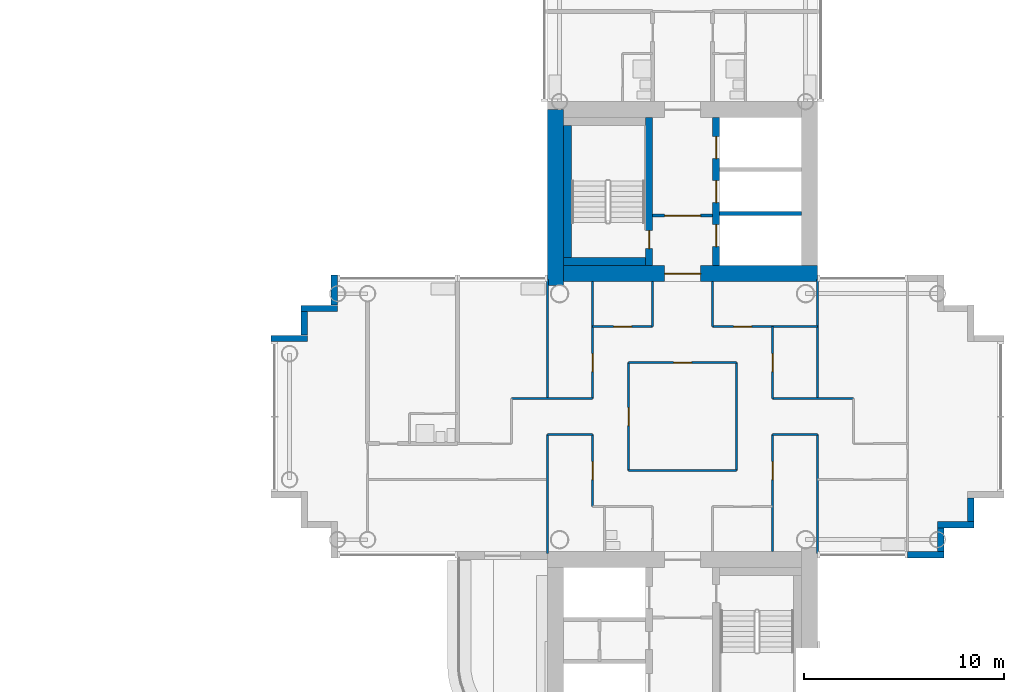
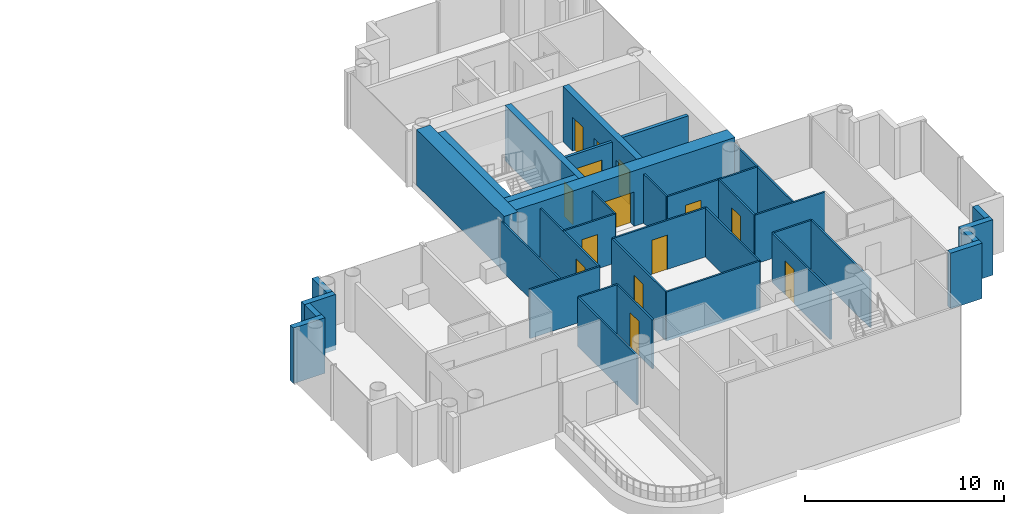
# One storey, part 11 of 19: 36 walls, 14 doors, 14 openings.
"""IFC4 building model written with IfcOpenShell, lengths in metres."""

from ifc_helpers import new_model, si_unit, direction, frame, frame_2d, origin, place, context, subcontext, project, spatial, rectangle, extrude, material, layer, layer_set, type_object, element, fill, save


model = new_model("IFC4")

# Units and contexts
model_context = context("Model", 3, precision=1e-05, world=origin(), true_north=direction((0.0, 1.0)))
body_context = subcontext(model_context, "Body", "Model", "MODEL_VIEW")
ifc_project = project(units=[si_unit("LENGTHUNIT", "METRE"), si_unit("AREAUNIT", "SQUARE_METRE"), si_unit("VOLUMEUNIT", "CUBIC_METRE"), si_unit("PLANEANGLEUNIT", "RADIAN"), si_unit("MASSUNIT", "GRAM", prefix="KILO")], contexts=[model_context])

# Site, building, storey
site_placement = place(None, origin())
site = spatial("IfcSite", under=ifc_project, at=site_placement, CompositionType="ELEMENT")
building_placement = place(site_placement, origin())
building = spatial("IfcBuilding", under=site, at=building_placement, Name="Ipe Terrace Towers", CompositionType="ELEMENT")
storey_placement = place(building_placement, frame((0.0, 0.0, 174.5)))
storey = spatial("IfcBuildingStorey", under=building, at=storey_placement, Name="L48", CompositionType="ELEMENT", Elevation=174.5)

# Walls
ifc_material_1 = material(Name="Concrete C40/50 with buff precast cladding", Category="concrete")
ifc_layer_1 = layer(ifc_material_1, 0.320068359375)
ifc_layer_set_1 = layer_set([ifc_layer_1], Name="BUFF CLADDING WALL 320")
wall_type_1 = type_object("IfcWallType", Name="BUFF CLADDING WALL 320", PredefinedType="STANDARD", material=ifc_layer_set_1)
wall_1_placement = place(storey_placement, frame((47.25, -6.909912109375, -0.300048828125), z_axis=(0.0, 0.0, 1.0), x_axis=(1.0, 0.0, 0.0)))
element("IfcWall", 1, at=wall_1_placement, inside=storey, type_object=wall_type_1, Name="T2-W-L48-03a wall", PredefinedType="STANDARD", context=body_context, shape_type="SweptSolid", body=[
    extrude(rectangle(XDim=1.820068359375, YDim=0.320068359375, at=frame_2d((0.91015625, 0.0))), origin(), (0.0, 0.0, 1.0), 3.400146484375),
])
wall_2_placement = place(storey_placement, frame((48.909912109375, -6.75, -0.300048828125), z_axis=(0.0, 0.0, 1.0), x_axis=(0.0, 1.0, 0.0)))
element("IfcWall", 2, at=wall_2_placement, inside=storey, type_object=wall_type_1, Name="T2-W-L48-04a wall", PredefinedType="STANDARD", context=body_context, shape_type="SweptSolid", body=[
    extrude(rectangle(XDim=1.179931640625, YDim=0.320068359375, at=frame_2d((0.58984375, 0.0))), origin(), (0.0, 0.0, 1.0), 3.400146484375),
])
wall_3_placement = place(storey_placement, frame((48.75, -5.409912109375, -0.300048828125), z_axis=(0.0, 0.0, 1.0), x_axis=(1.0, 0.0, 0.0)))
element("IfcWall", 3, at=wall_3_placement, inside=storey, type_object=wall_type_1, Name="T2-W-L48-05a wall", PredefinedType="STANDARD", context=body_context, shape_type="SweptSolid", body=[
    extrude(rectangle(XDim=1.820068359375, YDim=0.320068359375, at=frame_2d((0.91015625, 0.0))), origin(), (0.0, 0.0, 1.0), 3.400146484375),
])
wall_4_placement = place(storey_placement, frame((50.409912109375, -5.25, -0.300048828125), z_axis=(0.0, 0.0, 1.0), x_axis=(0.0, 1.0, 0.0)))
element("IfcWall", 4, at=wall_4_placement, inside=storey, type_object=wall_type_1, Name="T2-W-L48-06a wall", PredefinedType="STANDARD", context=body_context, shape_type="SweptSolid", body=[
    extrude(rectangle(XDim=1.179931640625, YDim=0.320068359375, at=frame_2d((0.58984375, 0.0))), origin(), (0.0, 0.0, 1.0), 3.400146484375),
])
wall_5_placement = place(storey_placement, frame((18.590087890625, 7.070068359375, -0.300048828125), z_axis=(0.0, 0.0, 1.0), x_axis=(0.0, -1.0, 0.0)))
element("IfcWall", 5, at=wall_5_placement, inside=storey, type_object=wall_type_1, Name="T2-W-L48-30a wall", PredefinedType="STANDARD", context=body_context, shape_type="SweptSolid", body=[
    extrude(rectangle(XDim=1.5, YDim=0.320068359375, at=frame_2d((0.75, 0.0))), origin(), (0.0, 0.0, 1.0), 3.400146484375),
])
wall_6_placement = place(storey_placement, frame((18.75, 5.409912109375, -0.300048828125), z_axis=(0.0, 0.0, 1.0), x_axis=(-1.0, 0.0, 0.0)))
element("IfcWall", 6, at=wall_6_placement, inside=storey, type_object=wall_type_1, Name="T2-W-L48-31a wall", PredefinedType="STANDARD", context=body_context, shape_type="SweptSolid", body=[
    extrude(rectangle(XDim=1.820068359375, YDim=0.320068359375, at=frame_2d((0.91015625, 0.0))), origin(), (0.0, 0.0, 1.0), 3.400146484375),
])
wall_7_placement = place(storey_placement, frame((17.090087890625, 5.25, -0.300048828125), z_axis=(0.0, 0.0, 1.0), x_axis=(0.0, -1.0, 0.0)))
element("IfcWall", 7, at=wall_7_placement, inside=storey, type_object=wall_type_1, Name="T2-W-L48-32a wall", PredefinedType="STANDARD", context=body_context, shape_type="SweptSolid", body=[
    extrude(rectangle(XDim=1.179931640625, YDim=0.320068359375, at=frame_2d((0.58984375, 0.0))), origin(), (0.0, 0.0, 1.0), 3.400146484375),
])
wall_8_placement = place(storey_placement, frame((17.25, 3.909912109375, -0.300048828125), z_axis=(0.0, 0.0, 1.0), x_axis=(-1.0, 0.0, 0.0)))
element("IfcWall", 8, at=wall_8_placement, inside=storey, type_object=wall_type_1, Name="T2-W-L48-33a wall", PredefinedType="STANDARD", context=body_context, shape_type="SweptSolid", body=[
    extrude(rectangle(XDim=1.820068359375, YDim=0.320068359375, at=frame_2d((0.91015625, 0.0))), origin(), (0.0, 0.0, 1.0), 3.400146484375),
])
ifc_material_2 = material(Name="Gypsum board partition", Category="plasterboard")
ifc_layer_2 = layer(ifc_material_2, 0.10009765625)
ifc_layer_set_2 = layer_set([ifc_layer_2], Name="Gypsum board partition 100 mm")
wall_type_2 = type_object("IfcWallType", Name="Gypsum board partition 100 mm", PredefinedType="PARTITIONING", material=ifc_layer_set_2)
wall_9_placement = place(storey_placement, frame((38.699951171875, -2.699951171875, 0.0), z_axis=(0.0, 0.0, 1.0), x_axis=(-1.0, 0.0, 0.0)))
element("IfcWall", 9, at=wall_9_placement, inside=storey, type_object=wall_type_2, Name="Gypsum board partition T2 L48 W05", PredefinedType="PARTITIONING", context=body_context, shape_type="SweptSolid", body=[
    extrude(rectangle(XDim=5.39990234375, YDim=0.10009765625, at=frame_2d((2.699951171875, 0.0))), origin(), (0.0, 0.0, 1.0), 3.0),
])
for number, where, z_axis, x_axis, name in (
    (10, (42.75, -0.89990234375, 0.0), (0.0, 0.0, 1.0), (-1.0, 0.0, 0.0), "Gypsum board partition T2 L48 W09"),
    (11, (31.5, -0.89990234375, 0.0), (0.0, 0.0, 1.0), (-1.0, 0.0, 0.0), "Gypsum board partition T2 L48 W10"),
):
    element("IfcWall", number, at=place(storey_placement, frame(where, z_axis=z_axis, x_axis=x_axis)), inside=storey, type_object=wall_type_2, Name=name, PredefinedType="PARTITIONING", context=body_context, shape_type="SweptSolid", body=[
        extrude(rectangle(XDim=2.25, YDim=0.10009765625, at=frame_2d((1.125, 0.0))), origin(), (0.0, 0.0, 1.0), 3.0),
    ])
for number, where, z_axis, x_axis, name in (
    (12, (44.550048828125, 0.89990234375, 0.0), (0.0, 0.0, 1.0), (-1.0, 0.0, 0.0), "Gypsum board partition T2 L48 W12"),
    (13, (31.5, 0.89990234375, 0.0), (0.0, 0.0, 1.0), (-1.0, 0.0, 0.0), "Gypsum board partition T2 L48 W13"),
):
    element("IfcWall", number, at=place(storey_placement, frame(where, z_axis=z_axis, x_axis=x_axis)), inside=storey, type_object=wall_type_2, Name=name, PredefinedType="PARTITIONING", context=body_context, shape_type="SweptSolid", body=[
        extrude(rectangle(XDim=4.050048828125, YDim=0.10009765625, at=frame_2d((2.02490234375, 0.0))), origin(), (0.0, 0.0, 1.0), 3.0),
    ])

# Wall, opening, door
wall_10_placement = place(storey_placement, frame((38.699951171875, 2.699951171875, 0.0), z_axis=(0.0, 0.0, 1.0), x_axis=(-1.0, 0.0, 0.0)))
wall_10 = element("IfcWall", 14, at=wall_10_placement, inside=storey, type_object=wall_type_2, Name="Gypsum board partition T2 L48 W14", PredefinedType="PARTITIONING", context=body_context, shape_type="SweptSolid", body=[
    extrude(rectangle(XDim=5.39990234375, YDim=0.10009765625, at=frame_2d((2.699951171875, 0.0))), origin(), (0.0, 0.0, 1.0), 3.0),
])
opening_1_placement = place(wall_10_placement, frame((2.25, 0.0, 0.0)))
opening_1 = element("IfcOpeningElement", 15, at=opening_1_placement, cuts=wall_10, Name="Opening T2-Z3D-02", PredefinedType="OPENING", context=body_context, shape_type="SweptSolid", body=[
    extrude(rectangle(XDim=0.89990234375, YDim=2.10009765625, at=frame_2d((0.449951171875, 1.050048828125))), frame((0.0, 0.06005859375, 0.0), z_axis=(0.0, -1.0, 0.0), x_axis=(1.0, 0.0, 0.0)), (0.0, 0.0, 1.0), 0.1201171875),
])
ifc_material_3 = material(Name="Timber door leaf", Category="wood")
door_type_1 = type_object("IfcDoorType", Name="Lounge door 900 x 2100", OperationType="NOTDEFINED", PredefinedType="DOOR", material=ifc_material_3)
door_1_placement = place(opening_1_placement, origin())
door_1 = element("IfcDoor", 16, at=door_1_placement, inside=storey, type_object=door_type_1, Name="Lounge door T2-Z3D-02", OperationType="SINGLE_SWING_LEFT", OverallHeight=2.10009765625, OverallWidth=0.89990234375, PredefinedType="DOOR", context=body_context, shape_type="SweptSolid", body=[
    extrude(rectangle(XDim=0.89990234375, YDim=2.10009765625, at=frame_2d((0.449951171875, 1.050048828125))), frame((0.0, 0.02490234375, 0.0), z_axis=(0.0, -1.0, 0.0), x_axis=(1.0, 0.0, 0.0)), (0.0, 0.0, 1.0), 0.050048828125),
])
fill(opening_1, door_1)

wall_11_placement = place(storey_placement, frame((42.75, 4.5, 0.0), z_axis=(0.0, 0.0, 1.0), x_axis=(-1.0, 0.0, 0.0)))
wall_11 = element("IfcWall", 17, at=wall_11_placement, inside=storey, type_object=wall_type_2, Name="Gypsum board partition T2 L48 W15", PredefinedType="PARTITIONING", context=body_context, shape_type="SweptSolid", body=[
    extrude(rectangle(XDim=5.25, YDim=0.10009765625, at=frame_2d((2.625, 0.0))), origin(), (0.0, 0.0, 1.0), 3.0),
])
opening_2_placement = place(wall_11_placement, frame((3.300048828125, 0.0, 0.0)))
opening_2 = element("IfcOpeningElement", 18, at=opening_2_placement, cuts=wall_11, Name="Opening T2-Z3D-10", PredefinedType="OPENING", context=body_context, shape_type="SweptSolid", body=[
    extrude(rectangle(XDim=0.89990234375, YDim=2.10009765625, at=frame_2d((0.449951171875, 1.050048828125))), frame((0.0, 0.06005859375, 0.0), z_axis=(0.0, -1.0, 0.0), x_axis=(1.0, 0.0, 0.0)), (0.0, 0.0, 1.0), 0.1201171875),
])
door_2_placement = place(opening_2_placement, origin())
door_2 = element("IfcDoor", 19, at=door_2_placement, inside=storey, type_object=door_type_1, Name="Lounge door T2-Z3D-10", OperationType="SINGLE_SWING_RIGHT", OverallHeight=2.10009765625, OverallWidth=0.89990234375, PredefinedType="DOOR", context=body_context, shape_type="SweptSolid", body=[
    extrude(rectangle(XDim=0.89990234375, YDim=2.10009765625, at=frame_2d((0.449951171875, 1.050048828125))), frame((0.0, 0.02490234375, 0.0), z_axis=(0.0, -1.0, 0.0), x_axis=(1.0, 0.0, 0.0)), (0.0, 0.0, 1.0), 0.050048828125),
])
fill(opening_2, door_2)

wall_12_placement = place(storey_placement, frame((34.5, 4.5, 0.0), z_axis=(0.0, 0.0, 1.0), x_axis=(-1.0, 0.0, 0.0)))
wall_12 = element("IfcWall", 20, at=wall_12_placement, inside=storey, type_object=wall_type_2, Name="Gypsum board partition T2 L48 W16", PredefinedType="PARTITIONING", context=body_context, shape_type="SweptSolid", body=[
    extrude(rectangle(XDim=3.0, YDim=0.10009765625, at=frame_2d((1.5, 0.0))), origin(), (0.0, 0.0, 1.0), 3.0),
])
opening_3_placement = place(wall_12_placement, frame((1.050048828125, 0.0, 0.0)))
opening_3 = element("IfcOpeningElement", 21, at=opening_3_placement, cuts=wall_12, Name="Opening T2-Z3D-05", PredefinedType="OPENING", context=body_context, shape_type="SweptSolid", body=[
    extrude(rectangle(XDim=0.89990234375, YDim=2.10009765625, at=frame_2d((0.449951171875, 1.050048828125))), frame((0.0, 0.06005859375, 0.0), z_axis=(0.0, -1.0, 0.0), x_axis=(1.0, 0.0, 0.0)), (0.0, 0.0, 1.0), 0.1201171875),
])
door_3_placement = place(opening_3_placement, origin())
door_3 = element("IfcDoor", 22, at=door_3_placement, inside=storey, type_object=door_type_1, Name="Lounge door T2-Z3D-05", OperationType="SINGLE_SWING_RIGHT", OverallHeight=2.10009765625, OverallWidth=0.89990234375, PredefinedType="DOOR", context=body_context, shape_type="SweptSolid", body=[
    extrude(rectangle(XDim=0.89990234375, YDim=2.10009765625, at=frame_2d((0.449951171875, 1.050048828125))), frame((0.0, 0.02490234375, 0.0), z_axis=(0.0, -1.0, 0.0), x_axis=(1.0, 0.0, 0.0)), (0.0, 0.0, 1.0), 0.050048828125),
])
fill(opening_3, door_3)

# Walls
for number, where, z_axis, x_axis, name in (
    (23, (42.75, -6.85009765625, 0.0), (0.0, 0.0, 1.0), (0.0, 1.0, 0.0), "Gypsum board partition T2 L48 W24"),
    (24, (42.75, 0.89990234375, 0.0), (0.0, 0.0, 1.0), (0.0, 1.0, 0.0), "Gypsum board partition T2 L48 W25"),
):
    element("IfcWall", number, at=place(storey_placement, frame(where, z_axis=z_axis, x_axis=x_axis)), inside=storey, type_object=wall_type_2, Name=name, PredefinedType="PARTITIONING", context=body_context, shape_type="SweptSolid", body=[
        extrude(rectangle(XDim=5.9501953125, YDim=0.10009765625, at=frame_2d((2.97509765625, 0.0))), origin(), (0.0, 0.0, 1.0), 3.0),
    ])

# Wall, opening, door
wall_13_placement = place(storey_placement, frame((40.5, -6.75, 0.0), z_axis=(0.0, 0.0, 1.0), x_axis=(0.0, 1.0, 0.0)))
wall_13 = element("IfcWall", 25, at=wall_13_placement, inside=storey, type_object=wall_type_2, Name="Gypsum board partition T2 L48 W26", PredefinedType="PARTITIONING", context=body_context, shape_type="SweptSolid", body=[
    extrude(rectangle(XDim=5.85009765625, YDim=0.10009765625, at=frame_2d((2.925048828125, 0.0))), origin(), (0.0, 0.0, 1.0), 3.0),
])
opening_4_placement = place(wall_13_placement, frame((3.60009765625, 0.0, 0.0)))
opening_4 = element("IfcOpeningElement", 26, at=opening_4_placement, cuts=wall_13, Name="Opening T2-Z3D-07", PredefinedType="OPENING", context=body_context, shape_type="SweptSolid", body=[
    extrude(rectangle(XDim=0.89990234375, YDim=2.10009765625, at=frame_2d((0.449951171875, 1.050048828125))), frame((0.0, 0.06005859375, 0.0), z_axis=(0.0, -1.0, 0.0), x_axis=(1.0, 0.0, 0.0)), (0.0, 0.0, 1.0), 0.1201171875),
])
door_4_placement = place(opening_4_placement, origin())
door_4 = element("IfcDoor", 27, at=door_4_placement, inside=storey, type_object=door_type_1, Name="Lounge door T2-Z3D-07", OperationType="SINGLE_SWING_RIGHT", OverallHeight=2.10009765625, OverallWidth=0.89990234375, PredefinedType="DOOR", context=body_context, shape_type="SweptSolid", body=[
    extrude(rectangle(XDim=0.89990234375, YDim=2.10009765625, at=frame_2d((0.449951171875, 1.050048828125))), frame((0.0, 0.02490234375, 0.0), z_axis=(0.0, -1.0, 0.0), x_axis=(1.0, 0.0, 0.0)), (0.0, 0.0, 1.0), 0.050048828125),
])
fill(opening_4, door_4)

wall_14_placement = place(storey_placement, frame((40.5, 0.89990234375, 0.0), z_axis=(0.0, 0.0, 1.0), x_axis=(0.0, 1.0, 0.0)))
wall_14 = element("IfcWall", 28, at=wall_14_placement, inside=storey, type_object=wall_type_2, Name="Gypsum board partition T2 L48 W27", PredefinedType="PARTITIONING", context=body_context, shape_type="SweptSolid", body=[
    extrude(rectangle(XDim=3.60009765625, YDim=0.10009765625, at=frame_2d((1.800048828125, 0.0))), origin(), (0.0, 0.0, 1.0), 3.0),
])
opening_5_placement = place(wall_14_placement, frame((1.35009765625, 0.0, 0.0)))
opening_5 = element("IfcOpeningElement", 29, at=opening_5_placement, cuts=wall_14, Name="Opening T2-Z3D-09", PredefinedType="OPENING", context=body_context, shape_type="SweptSolid", body=[
    extrude(rectangle(XDim=0.89990234375, YDim=2.10009765625, at=frame_2d((0.449951171875, 1.050048828125))), frame((0.0, 0.06005859375, 0.0), z_axis=(0.0, -1.0, 0.0), x_axis=(1.0, 0.0, 0.0)), (0.0, 0.0, 1.0), 0.1201171875),
])
door_5_placement = place(opening_5_placement, origin())
door_5 = element("IfcDoor", 30, at=door_5_placement, inside=storey, type_object=door_type_1, Name="Lounge door T2-Z3D-09", OperationType="SINGLE_SWING_RIGHT", OverallHeight=2.10009765625, OverallWidth=0.89990234375, PredefinedType="DOOR", context=body_context, shape_type="SweptSolid", body=[
    extrude(rectangle(XDim=0.89990234375, YDim=2.10009765625, at=frame_2d((0.449951171875, 1.050048828125))), frame((0.0, 0.02490234375, 0.0), z_axis=(0.0, -1.0, 0.0), x_axis=(1.0, 0.0, 0.0)), (0.0, 0.0, 1.0), 0.050048828125),
])
fill(opening_5, door_5)

# Walls
wall_15_placement = place(storey_placement, frame((38.699951171875, -2.699951171875, 0.0), z_axis=(0.0, 0.0, 1.0), x_axis=(0.0, 1.0, 0.0)))
element("IfcWall", 31, at=wall_15_placement, inside=storey, type_object=wall_type_2, Name="Gypsum board partition T2 L48 W29", PredefinedType="PARTITIONING", context=body_context, shape_type="SweptSolid", body=[
    extrude(rectangle(XDim=5.39990234375, YDim=0.10009765625, at=frame_2d((2.699951171875, 0.0))), origin(), (0.0, 0.0, 1.0), 3.0),
])
for number, where, z_axis, x_axis, name in (
    (32, (37.5, 4.5, 0.0), (0.0, 0.0, 1.0), (0.0, 1.0, 0.0), "Gypsum board partition T2 L48 W31"),
    (33, (34.5, 4.5, 0.0), (0.0, 0.0, 1.0), (0.0, 1.0, 0.0), "Gypsum board partition T2 L48 W34"),
):
    element("IfcWall", number, at=place(storey_placement, frame(where, z_axis=z_axis, x_axis=x_axis)), inside=storey, type_object=wall_type_2, Name=name, PredefinedType="PARTITIONING", context=body_context, shape_type="SweptSolid", body=[
        extrude(rectangle(XDim=2.25, YDim=0.10009765625, at=frame_2d((1.125, 0.0))), origin(), (0.0, 0.0, 1.0), 3.0),
    ])

# Wall, opening, door
wall_16_placement = place(storey_placement, frame((33.300048828125, -2.699951171875, 0.0), z_axis=(0.0, 0.0, 1.0), x_axis=(0.0, 1.0, 0.0)))
wall_16 = element("IfcWall", 34, at=wall_16_placement, inside=storey, type_object=wall_type_2, Name="Gypsum board partition T2 L48 W36", PredefinedType="PARTITIONING", context=body_context, shape_type="SweptSolid", body=[
    extrude(rectangle(XDim=5.39990234375, YDim=0.10009765625, at=frame_2d((2.699951171875, 0.0))), origin(), (0.0, 0.0, 1.0), 3.0),
])
opening_6_placement = place(wall_16_placement, frame((2.25, 0.0, 0.0)))
opening_6 = element("IfcOpeningElement", 35, at=opening_6_placement, cuts=wall_16, Name="Opening T2-Z3D-01", PredefinedType="OPENING", context=body_context, shape_type="SweptSolid", body=[
    extrude(rectangle(XDim=0.89990234375, YDim=2.10009765625, at=frame_2d((0.449951171875, 1.050048828125))), frame((0.0, 0.06005859375, 0.0), z_axis=(0.0, -1.0, 0.0), x_axis=(1.0, 0.0, 0.0)), (0.0, 0.0, 1.0), 0.1201171875),
])
door_6_placement = place(opening_6_placement, origin())
door_6 = element("IfcDoor", 36, at=door_6_placement, inside=storey, type_object=door_type_1, Name="Lounge door T2-Z3D-01", OperationType="SINGLE_SWING_RIGHT", OverallHeight=2.10009765625, OverallWidth=0.89990234375, PredefinedType="DOOR", context=body_context, shape_type="SweptSolid", body=[
    extrude(rectangle(XDim=0.89990234375, YDim=2.10009765625, at=frame_2d((0.449951171875, 1.050048828125))), frame((0.0, 0.02490234375, 0.0), z_axis=(0.0, -1.0, 0.0), x_axis=(1.0, 0.0, 0.0)), (0.0, 0.0, 1.0), 0.050048828125),
])
fill(opening_6, door_6)

wall_17_placement = place(storey_placement, frame((31.5, -4.5, 0.0), z_axis=(0.0, 0.0, 1.0), x_axis=(0.0, 1.0, 0.0)))
wall_17 = element("IfcWall", 37, at=wall_17_placement, inside=storey, type_object=wall_type_2, Name="Gypsum board partition T2 L48 W39", PredefinedType="PARTITIONING", context=body_context, shape_type="SweptSolid", body=[
    extrude(rectangle(XDim=3.60009765625, YDim=0.10009765625, at=frame_2d((1.800048828125, 0.0))), origin(), (0.0, 0.0, 1.0), 3.0),
])
opening_7_placement = place(wall_17_placement, frame((1.35009765625, 0.0, 0.0)))
opening_7 = element("IfcOpeningElement", 38, at=opening_7_placement, cuts=wall_17, Name="Opening T2-Z3D-06", PredefinedType="OPENING", context=body_context, shape_type="SweptSolid", body=[
    extrude(rectangle(XDim=0.89990234375, YDim=2.10009765625, at=frame_2d((0.449951171875, 1.050048828125))), frame((0.0, 0.06005859375, 0.0), z_axis=(0.0, -1.0, 0.0), x_axis=(1.0, 0.0, 0.0)), (0.0, 0.0, 1.0), 0.1201171875),
])
door_7_placement = place(opening_7_placement, origin())
door_7 = element("IfcDoor", 39, at=door_7_placement, inside=storey, type_object=door_type_1, Name="Lounge door T2-Z3D-06", OperationType="SINGLE_SWING_RIGHT", OverallHeight=2.10009765625, OverallWidth=0.89990234375, PredefinedType="DOOR", context=body_context, shape_type="SweptSolid", body=[
    extrude(rectangle(XDim=0.89990234375, YDim=2.10009765625, at=frame_2d((0.449951171875, 1.050048828125))), frame((0.0, 0.02490234375, 0.0), z_axis=(0.0, -1.0, 0.0), x_axis=(1.0, 0.0, 0.0)), (0.0, 0.0, 1.0), 0.050048828125),
])
fill(opening_7, door_7)

wall_18_placement = place(storey_placement, frame((31.5, 0.89990234375, 0.0), z_axis=(0.0, 0.0, 1.0), x_axis=(0.0, 1.0, 0.0)))
wall_18 = element("IfcWall", 40, at=wall_18_placement, inside=storey, type_object=wall_type_2, Name="Gypsum board partition T2 L48 W40", PredefinedType="PARTITIONING", context=body_context, shape_type="SweptSolid", body=[
    extrude(rectangle(XDim=5.85009765625, YDim=0.10009765625, at=frame_2d((2.925048828125, 0.0))), origin(), (0.0, 0.0, 1.0), 3.0),
])
opening_8_placement = place(wall_18_placement, frame((1.35009765625, 0.0, 0.0)))
opening_8 = element("IfcOpeningElement", 41, at=opening_8_placement, cuts=wall_18, Name="Opening T2-Z3D-04", PredefinedType="OPENING", context=body_context, shape_type="SweptSolid", body=[
    extrude(rectangle(XDim=0.89990234375, YDim=2.10009765625, at=frame_2d((0.449951171875, 1.050048828125))), frame((0.0, 0.06005859375, 0.0), z_axis=(0.0, -1.0, 0.0), x_axis=(1.0, 0.0, 0.0)), (0.0, 0.0, 1.0), 0.1201171875),
])
door_8_placement = place(opening_8_placement, origin())
door_8 = element("IfcDoor", 42, at=door_8_placement, inside=storey, type_object=door_type_1, Name="Lounge door T2-Z3D-04", OperationType="SINGLE_SWING_RIGHT", OverallHeight=2.10009765625, OverallWidth=0.89990234375, PredefinedType="DOOR", context=body_context, shape_type="SweptSolid", body=[
    extrude(rectangle(XDim=0.89990234375, YDim=2.10009765625, at=frame_2d((0.449951171875, 1.050048828125))), frame((0.0, 0.02490234375, 0.0), z_axis=(0.0, -1.0, 0.0), x_axis=(1.0, 0.0, 0.0)), (0.0, 0.0, 1.0), 0.050048828125),
])
fill(opening_8, door_8)

# Walls
for number, where, z_axis, x_axis, name in (
    (43, (29.25, -6.85009765625, 0.0), (0.0, 0.0, 1.0), (0.0, 1.0, 0.0), "Gypsum board partition T2 L48 W41"),
    (44, (29.25, 0.89990234375, 0.0), (0.0, 0.0, 1.0), (0.0, 1.0, 0.0), "Gypsum board partition T2 L48 W42"),
):
    element("IfcWall", number, at=place(storey_placement, frame(where, z_axis=z_axis, x_axis=x_axis)), inside=storey, type_object=wall_type_2, Name=name, PredefinedType="PARTITIONING", context=body_context, shape_type="SweptSolid", body=[
        extrude(rectangle(XDim=5.9501953125, YDim=0.10009765625, at=frame_2d((2.97509765625, 0.0))), origin(), (0.0, 0.0, 1.0), 3.0),
    ])

# Wall, opening, door
ifc_material_4 = material(Name="Gypsum board partition", Category="plasterboard")
ifc_layer_3 = layer(ifc_material_4, 0.14990234375)
ifc_layer_set_3 = layer_set([ifc_layer_3], Name="Gypsum board partition 150 mm")
wall_type_3 = type_object("IfcWallType", Name="Gypsum board partition 150 mm", PredefinedType="PARTITIONING", material=ifc_layer_set_3)
wall_19_placement = place(storey_placement, frame((37.5, 10.050048828125, 0.0), z_axis=(0.0, 0.0, 1.0), x_axis=(-1.0, 0.0, 0.0)))
wall_19 = element("IfcWall", 45, at=wall_19_placement, inside=storey, type_object=wall_type_3, Name="Gypsum board partition T2 L48 t2c1-lobby-wall", PredefinedType="PARTITIONING", context=body_context, shape_type="SweptSolid", body=[
    extrude(rectangle(XDim=3.0, YDim=0.14990234375, at=frame_2d((1.5, 0.0))), origin(), (0.0, 0.0, 1.0), 3.0),
])
opening_9_placement = place(wall_19_placement, frame((0.60009765625, 0.0, 0.0)))
opening_9 = element("IfcOpeningElement", 46, at=opening_9_placement, cuts=wall_19, Name="Opening T2C1-VD", PredefinedType="OPENING", context=body_context, shape_type="SweptSolid", body=[
    extrude(rectangle(XDim=1.800048828125, YDim=2.10009765625, at=frame_2d((0.89990234375, 1.050048828125))), frame((0.0, 0.0849609375, 0.0), z_axis=(0.0, -1.0, 0.0), x_axis=(1.0, 0.0, 0.0)), (0.0, 0.0, 1.0), 0.169921875),
])
ifc_material_5 = material(Name="Fire-rated timber door leaf", Category="wood")
door_type_2 = type_object("IfcDoorType", Name="Lobby door 1800 x 2100 FD60", OperationType="NOTDEFINED", PredefinedType="DOOR", material=ifc_material_5)
door_9_placement = place(opening_9_placement, origin())
door_9 = element("IfcDoor", 47, at=door_9_placement, inside=storey, type_object=door_type_2, Name="Lobby door T2C1-VD", OperationType="SINGLE_SWING_LEFT", OverallHeight=2.10009765625, OverallWidth=1.800048828125, PredefinedType="DOOR", context=body_context, shape_type="SweptSolid", body=[
    extrude(rectangle(XDim=1.800048828125, YDim=2.10009765625, at=frame_2d((0.89990234375, 1.050048828125))), frame((0.0, 0.02490234375, 0.0), z_axis=(0.0, -1.0, 0.0), x_axis=(1.0, 0.0, 0.0)), (0.0, 0.0, 1.0), 0.050048828125),
])
fill(opening_9, door_9)

# Wall
ifc_material_6 = material(Name="Gypsum board party wall", Category="plasterboard")
ifc_layer_4 = layer(ifc_material_6, 0.199951171875)
ifc_layer_set_4 = layer_set([ifc_layer_4], Name="Gypsum board party wall 200 mm")
wall_type_4 = type_object("IfcWallType", Name="Gypsum board party wall 200 mm", PredefinedType="SOLIDWALL", material=ifc_layer_set_4)
wall_20_placement = place(storey_placement, frame((41.949951171875, 10.14990234375, 0.0), z_axis=(0.0, 0.0, 1.0), x_axis=(-1.0, 0.0, 0.0)))
element("IfcWall", 48, at=wall_20_placement, inside=storey, type_object=wall_type_4, Name="Gypsum board party wall T2 L48 t2c1-shaft-div1", PredefinedType="SOLIDWALL", context=body_context, shape_type="SweptSolid", body=[
    extrude(rectangle(XDim=4.099853515625, YDim=0.199951171875, at=frame_2d((2.0498046875, 0.0))), origin(), (0.0, 0.0, 1.0), 3.0),
])

# Wall, opening, door
ifc_material_7 = material(Name="Concrete C50/60", Category="concrete")
ifc_layer_5 = layer(ifc_material_7, 0.35009765625)
ifc_layer_set_5 = layer_set([ifc_layer_5], Name="RW350 CORE SPINE WALL 350 C50-60")
wall_type_5 = type_object("IfcWallType", Name="RW350 CORE SPINE WALL 350 C50-60", PredefinedType="SHEAR", material=ifc_layer_set_5)
wall_21_placement = place(storey_placement, frame((34.324951171875, 7.550048828125, 0.0), z_axis=(0.0, 0.0, 1.0), x_axis=(0.0, 1.0, 0.0)))
wall_21 = element("IfcWall", 49, at=wall_21_placement, inside=storey, type_object=wall_type_5, Name="Core spine wall T2-C1-Z3-SW1", PredefinedType="SHEAR", context=body_context, shape_type="SweptSolid", body=[
    extrude(rectangle(XDim=7.39990234375, YDim=0.35009765625, at=frame_2d((3.699951171875, 0.0))), origin(), (0.0, 0.0, 1.0), 3.39990234375),
])
opening_10_placement = place(wall_21_placement, frame((0.85009765625, 0.0, 0.0)))
opening_10 = element("IfcOpeningElement", 50, at=opening_10_placement, cuts=wall_21, Name="Opening T2C1-SD", PredefinedType="OPENING", context=body_context, shape_type="SweptSolid", body=[
    extrude(rectangle(XDim=0.89990234375, YDim=2.10009765625, at=frame_2d((0.449951171875, 1.050048828125))), frame((0.0, 0.18505859375, 0.0), z_axis=(0.0, -1.0, 0.0), x_axis=(1.0, 0.0, 0.0)), (0.0, 0.0, 1.0), 0.3701171875),
])
ifc_material_8 = material(Name="Fire-rated timber door leaf", Category="wood")
door_type_3 = type_object("IfcDoorType", Name="Stair door 900 x 2100 FD60", OperationType="NOTDEFINED", PredefinedType="DOOR", material=ifc_material_8)
door_10_placement = place(opening_10_placement, origin())
door_10 = element("IfcDoor", 51, at=door_10_placement, inside=storey, type_object=door_type_3, Name="Stair door T2C1-SD", OperationType="SINGLE_SWING_LEFT", OverallHeight=2.10009765625, OverallWidth=0.89990234375, PredefinedType="DOOR", context=body_context, shape_type="SweptSolid", body=[
    extrude(rectangle(XDim=0.89990234375, YDim=2.10009765625, at=frame_2d((0.449951171875, 1.050048828125))), frame((0.0, 0.02490234375, 0.0), z_axis=(0.0, -1.0, 0.0), x_axis=(1.0, 0.0, 0.0)), (0.0, 0.0, 1.0), 0.050048828125),
])
fill(opening_10, door_10)

# Wall, openings, doors
wall_22_placement = place(storey_placement, frame((37.675048828125, 7.550048828125, 0.0), z_axis=(0.0, 0.0, 1.0), x_axis=(0.0, 1.0, 0.0)))
wall_22 = element("IfcWall", 52, at=wall_22_placement, inside=storey, type_object=wall_type_5, Name="Core spine wall T2-C1-Z3-SW2", PredefinedType="SHEAR", context=body_context, shape_type="SweptSolid", body=[
    extrude(rectangle(XDim=7.39990234375, YDim=0.35009765625, at=frame_2d((3.699951171875, 0.0))), origin(), (0.0, 0.0, 1.0), 3.39990234375),
])
opening_11_placement = place(wall_22_placement, frame((0.949951171875, 0.0, 0.0)))
opening_11 = element("IfcOpeningElement", 53, at=opening_11_placement, cuts=wall_22, Name="Opening T2C1-LD1", PredefinedType="OPENING", context=body_context, shape_type="SweptSolid", body=[
    extrude(rectangle(XDim=1.10009765625, YDim=2.10009765625, at=frame_2d((0.550048828125, 1.050048828125))), frame((0.0, 0.18505859375, 0.0), z_axis=(0.0, -1.0, 0.0), x_axis=(1.0, 0.0, 0.0)), (0.0, 0.0, 1.0), 0.3701171875),
])
opening_12_placement = place(wall_22_placement, frame((3.14990234375, 0.0, 0.0)))
opening_12 = element("IfcOpeningElement", 54, at=opening_12_placement, cuts=wall_22, Name="Opening T2C1-LD2", PredefinedType="OPENING", context=body_context, shape_type="SweptSolid", body=[
    extrude(rectangle(XDim=1.10009765625, YDim=2.10009765625, at=frame_2d((0.550048828125, 1.050048828125))), frame((0.0, 0.18505859375, 0.0), z_axis=(0.0, -1.0, 0.0), x_axis=(1.0, 0.0, 0.0)), (0.0, 0.0, 1.0), 0.3701171875),
])
opening_13_placement = place(wall_22_placement, frame((5.35009765625, 0.0, 0.0)))
opening_13 = element("IfcOpeningElement", 55, at=opening_13_placement, cuts=wall_22, Name="Opening T2C1-LD3", PredefinedType="OPENING", context=body_context, shape_type="SweptSolid", body=[
    extrude(rectangle(XDim=1.10009765625, YDim=2.10009765625, at=frame_2d((0.550048828125, 1.050048828125))), frame((0.0, 0.18505859375, 0.0), z_axis=(0.0, -1.0, 0.0), x_axis=(1.0, 0.0, 0.0)), (0.0, 0.0, 1.0), 0.3701171875),
])
ifc_material_9 = material(Name="Fire-rated timber door leaf", Category="wood")
door_type_4 = type_object("IfcDoorType", Name="Sliding door 1100 x 2100 FD60", OperationType="SLIDING_TO_LEFT", PredefinedType="DOOR", material=ifc_material_9)
door_11_placement = place(opening_11_placement, origin())
door_11 = element("IfcDoor", 56, at=door_11_placement, inside=storey, type_object=door_type_4, Name="Sliding door T2C1-LD1", OperationType="SLIDING_TO_LEFT", OverallHeight=2.10009765625, OverallWidth=1.10009765625, PredefinedType="DOOR", context=body_context, shape_type="SweptSolid", body=[
    extrude(rectangle(XDim=1.10009765625, YDim=2.10009765625, at=frame_2d((0.550048828125, 1.050048828125))), frame((0.0, 0.02490234375, 0.0), z_axis=(0.0, -1.0, 0.0), x_axis=(1.0, 0.0, 0.0)), (0.0, 0.0, 1.0), 0.050048828125),
])
fill(opening_11, door_11)
door_12_placement = place(opening_12_placement, origin())
door_12 = element("IfcDoor", 57, at=door_12_placement, inside=storey, type_object=door_type_4, Name="Sliding door T2C1-LD2", OperationType="SLIDING_TO_LEFT", OverallHeight=2.10009765625, OverallWidth=1.10009765625, PredefinedType="DOOR", context=body_context, shape_type="SweptSolid", body=[
    extrude(rectangle(XDim=1.10009765625, YDim=2.10009765625, at=frame_2d((0.550048828125, 1.050048828125))), frame((0.0, 0.02490234375, 0.0), z_axis=(0.0, -1.0, 0.0), x_axis=(1.0, 0.0, 0.0)), (0.0, 0.0, 1.0), 0.050048828125),
])
fill(opening_12, door_12)
door_13_placement = place(opening_13_placement, origin())
door_13 = element("IfcDoor", 58, at=door_13_placement, inside=storey, type_object=door_type_4, Name="Sliding door T2C1-LD3", OperationType="SLIDING_TO_LEFT", OverallHeight=2.10009765625, OverallWidth=1.10009765625, PredefinedType="DOOR", context=body_context, shape_type="SweptSolid", body=[
    extrude(rectangle(XDim=1.10009765625, YDim=2.10009765625, at=frame_2d((0.550048828125, 1.050048828125))), frame((0.0, 0.02490234375, 0.0), z_axis=(0.0, -1.0, 0.0), x_axis=(1.0, 0.0, 0.0)), (0.0, 0.0, 1.0), 0.050048828125),
])
fill(opening_13, door_13)

# Walls
ifc_material_10 = material(Name="Concrete C50/60", Category="concrete")
ifc_layer_6 = layer(ifc_material_10, 0.39990234375)
ifc_layer_set_6 = layer_set([ifc_layer_6], Name="RW400 CORE INFILL WALL 400 C50-60")
wall_type_6 = type_object("IfcWallType", Name="RW400 CORE INFILL WALL 400 C50-60", PredefinedType="SHEAR", material=ifc_layer_set_6)
wall_23_placement = place(storey_placement, frame((30.25, 7.949951171875, 0.0), z_axis=(0.0, 0.0, 1.0), x_axis=(0.0, 1.0, 0.0)))
element("IfcWall", 59, at=wall_23_placement, inside=storey, type_object=wall_type_6, Name="Core infill wall T2-C1-back", PredefinedType="SHEAR", context=body_context, shape_type="SweptSolid", body=[
    extrude(rectangle(XDim=6.60009765625, YDim=0.39990234375, at=frame_2d((3.300048828125, 0.0))), origin(), (0.0, 0.0, 1.0), 3.39990234375),
])
wall_24_placement = place(storey_placement, frame((34.14990234375, 7.75, 0.0), z_axis=(0.0, 0.0, 1.0), x_axis=(-1.0, 0.0, 0.0)))
element("IfcWall", 60, at=wall_24_placement, inside=storey, type_object=wall_type_6, Name="Core infill wall T2-C1-near", PredefinedType="SHEAR", context=body_context, shape_type="SweptSolid", body=[
    extrude(rectangle(XDim=4.099853515625, YDim=0.39990234375, at=frame_2d((2.0498046875, 0.0))), origin(), (0.0, 0.0, 1.0), 3.39990234375),
])

# Wall, opening, door
ifc_material_11 = material(Name="Concrete C50/60", Category="concrete")
ifc_layer_7 = layer(ifc_material_11, 0.800048828125)
ifc_layer_set_7 = layer_set([ifc_layer_7], Name="RW800 CORE WALL 800 C50-60")
wall_type_7 = type_object("IfcWallType", Name="RW800 CORE WALL 800 C50-60", PredefinedType="SHEAR", material=ifc_layer_set_7)
wall_25_placement = place(storey_placement, frame((30.050048828125, 7.14990234375, 0.0), z_axis=(0.0, 0.0, 1.0), x_axis=(1.0, 0.0, 0.0)))
wall_25 = element("IfcWall", 61, at=wall_25_placement, inside=storey, type_object=wall_type_7, Name="Core wall T2-C1-Z3-W01", PredefinedType="SHEAR", context=body_context, shape_type="SweptSolid", body=[
    extrude(rectangle(XDim=12.699951171875, YDim=0.800048828125, at=frame_2d((6.35009765625, 0.0))), origin(), (0.0, 0.0, 1.0), 3.39990234375),
])
opening_14_placement = place(wall_25_placement, frame((5.050048828125, 0.0, 0.0)))
opening_14 = element("IfcOpeningElement", 62, at=opening_14_placement, cuts=wall_25, Name="Opening T2C1-ND", PredefinedType="OPENING", context=body_context, shape_type="SweptSolid", body=[
    extrude(rectangle(XDim=1.800048828125, YDim=2.10009765625, at=frame_2d((0.89990234375, 1.050048828125))), frame((0.0, 0.41015625, 0.0), z_axis=(0.0, -1.0, 0.0), x_axis=(1.0, 0.0, 0.0)), (0.0, 0.0, 1.0), 0.820068359375),
])
ifc_material_12 = material(Name="Fire-rated timber door leaf", Category="wood")
door_type_5 = type_object("IfcDoorType", Name="Fire door 1800 x 2100 FD30S", OperationType="NOTDEFINED", PredefinedType="DOOR", material=ifc_material_12)
door_14_placement = place(opening_14_placement, origin())
door_14 = element("IfcDoor", 63, at=door_14_placement, inside=storey, type_object=door_type_5, Name="Fire door T2C1-ND", OperationType="SINGLE_SWING_LEFT", OverallHeight=2.10009765625, OverallWidth=1.800048828125, PredefinedType="DOOR", context=body_context, shape_type="SweptSolid", body=[
    extrude(rectangle(XDim=1.800048828125, YDim=2.10009765625, at=frame_2d((0.89990234375, 1.050048828125))), frame((0.0, 0.02490234375, 0.0), z_axis=(0.0, -1.0, 0.0), x_axis=(1.0, 0.0, 0.0)), (0.0, 0.0, 1.0), 0.050048828125),
])
fill(opening_14, door_14)

# Wall
wall_26_placement = place(storey_placement, frame((29.64990234375, 15.347900390625, 0.0), z_axis=(0.0, 0.0, 1.0), x_axis=(0.0, -1.0, 0.0)))
element("IfcWall", 64, at=wall_26_placement, inside=storey, type_object=wall_type_7, Name="Core wall T2-C1-Z3-W04", PredefinedType="SHEAR", context=body_context, shape_type="SweptSolid", body=[
    extrude(rectangle(XDim=8.7958984375, YDim=0.800048828125, at=frame_2d((4.39794921875, 0.0))), origin(), (0.0, 0.0, 1.0), 3.39990234375),
])

save(model, "model.ifc")
